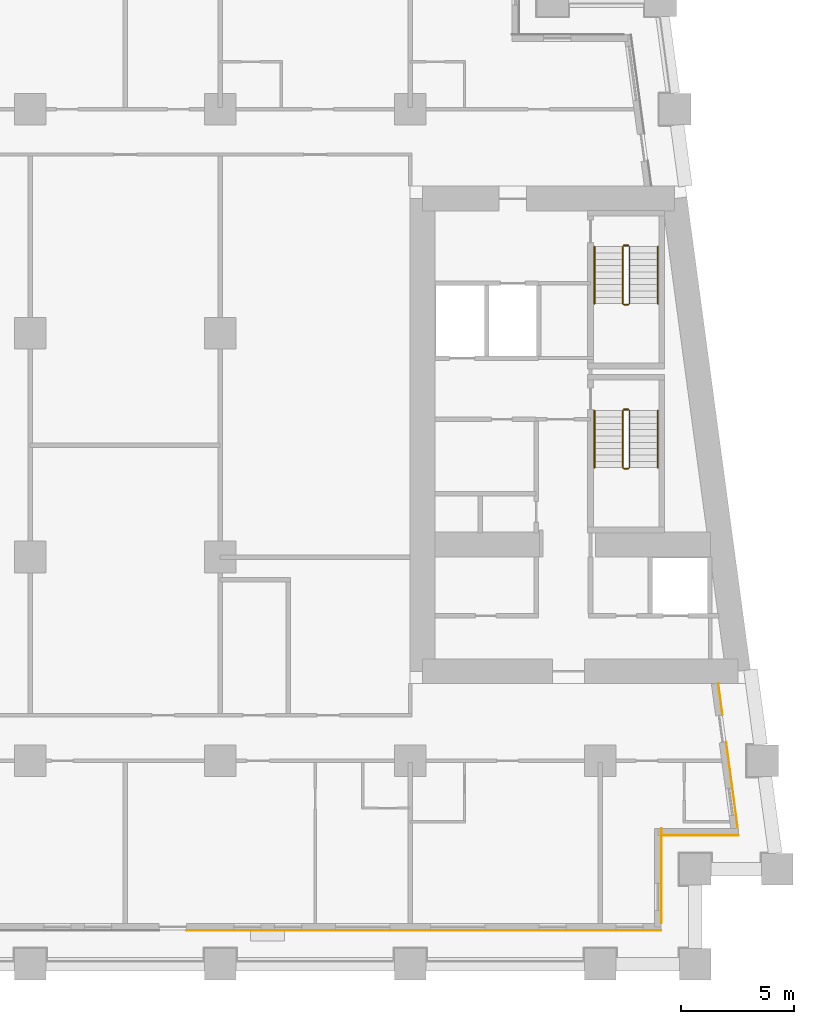
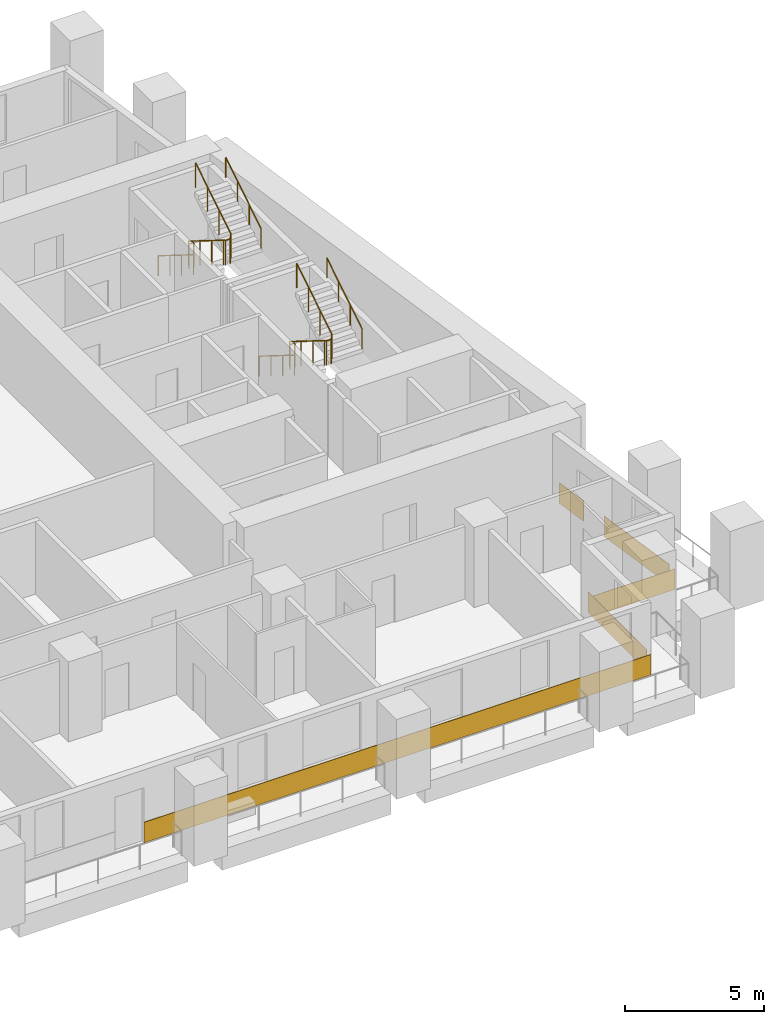
# One storey, part 10 of 12: 8 railings, 5 coverings.
"""IFC4 building model written with IfcOpenShell, lengths in metres."""

from ifc_helpers import new_model, si_unit, direction, frame, origin, origin_2d, place, context, subcontext, project, spatial, rectangle, circle, extrude, material, layer, layer_set, type_object, element, save


model = new_model("IFC4")

# Units and contexts
model_context = context("Model", 3, precision=1e-05, world=origin(), true_north=direction((0.0, 1.0)))
body_context = subcontext(model_context, "Body", "Model", "MODEL_VIEW")
ifc_project = project(units=[si_unit("LENGTHUNIT", "METRE"), si_unit("AREAUNIT", "SQUARE_METRE"), si_unit("VOLUMEUNIT", "CUBIC_METRE"), si_unit("PLANEANGLEUNIT", "RADIAN"), si_unit("MASSUNIT", "GRAM", prefix="KILO")], contexts=[model_context])

# Site, building, storey
site_placement = place(None, origin())
site = spatial("IfcSite", under=ifc_project, at=site_placement, CompositionType="ELEMENT")
building_placement = place(site_placement, origin())
building = spatial("IfcBuilding", under=site, at=building_placement, Name="Candeia Pilgrim Tower and Theatre", CompositionType="ELEMENT")
storey_placement = place(building_placement, frame((0.0, 0.0, 74.0)))
storey = spatial("IfcBuildingStorey", under=building, at=storey_placement, Name="L16", CompositionType="ELEMENT", Elevation=74.0)

# Coverings
ifc_material_1 = material(Name="Glazed ceramic tile deep red")
ifc_layer = layer(ifc_material_1, 0.02001953125)
ifc_layer_set = layer_set([ifc_layer], Name="Glazed ceramic tile deep red")
covering_type = type_object("IfcCoveringType", Name="Glazed ceramic tile deep red", PredefinedType="CLADDING", material=ifc_layer_set)
covering_1_placement = place(storey_placement, frame((126.60009765625, 99.489990234375, 0.0), z_axis=(0.0, 0.0, 1.0), x_axis=(1.0, 0.0, 0.0)))
element("IfcCovering", 1, at=covering_1_placement, inside=storey, type_object=covering_type, Name="Tile cladding deep red L16", PredefinedType="CLADDING", context=body_context, shape_type="SweptSolid", body=[
    extrude(rectangle(XDim=21.0, YDim=0.02001953125, at=origin_2d()), origin(), (0.0, 0.0, 1.0), 0.89990234375),
])
covering_2_placement = place(storey_placement, frame((137.110107421875, 101.909912109375, 0.0), z_axis=(0.0, 0.0, 1.0), x_axis=(0.0, 1.0, 0.0)))
element("IfcCovering", 2, at=covering_2_placement, inside=storey, type_object=covering_type, Name="Tile cladding deep red L16", PredefinedType="CLADDING", context=body_context, shape_type="SweptSolid", body=[
    extrude(rectangle(XDim=4.179931640625, YDim=0.02001953125, at=origin_2d()), origin(), (0.0, 0.0, 1.0), 0.89990234375),
])
covering_3_placement = place(storey_placement, frame((138.819580078125, 103.68994140625, 0.0), z_axis=(0.0, 0.0, 1.0), x_axis=(1.0, 0.0, 0.0)))
element("IfcCovering", 3, at=covering_3_placement, inside=storey, type_object=covering_type, Name="Tile cladding deep red L16", PredefinedType="CLADDING", context=body_context, shape_type="SweptSolid", body=[
    extrude(rectangle(XDim=3.399169921875, YDim=0.02001953125, at=origin_2d()), origin(), (0.0, 0.0, 1.0), 0.89990234375),
])
covering_4_placement = place(storey_placement, frame((140.228515625, 105.933349609375, 0.0), z_axis=(0.0, 0.0, 1.0), x_axis=(-0.133412012145, 0.991060661622, 0.0)))
element("IfcCovering", 4, at=covering_4_placement, inside=storey, type_object=covering_type, Name="Tile cladding deep red L16", PredefinedType="CLADDING", context=body_context, shape_type="SweptSolid", body=[
    extrude(rectangle(XDim=3.821044921875, YDim=0.02001953125, at=origin_2d()), origin(), (0.0, 0.0, 1.0), 0.89990234375),
])
covering_5_placement = place(storey_placement, frame((139.718994140625, 109.71875, 0.0), z_axis=(0.0, 0.0, 1.0), x_axis=(-0.133412012145, 0.991060661622, 0.0)))
element("IfcCovering", 5, at=covering_5_placement, inside=storey, type_object=covering_type, Name="Tile cladding deep red L16", PredefinedType="CLADDING", context=body_context, shape_type="SweptSolid", body=[
    extrude(rectangle(XDim=1.41796875, YDim=0.02001953125, at=origin_2d()), origin(), (0.0, 0.0, 1.0), 0.89990234375),
])

# Railings
ifc_material_2 = material(Name="Stainless steel balustrade", Category="steel")
railing_type_1 = type_object("IfcRailingType", Name="RL-GUARD-1100", PredefinedType="GUARDRAIL", material=ifc_material_2)
railing_1_placement = place(storey_placement, frame((135.39794921875, 122.47509765625, 0.175048828125)))
element("IfcRailing", 6, at=railing_1_placement, inside=storey, type_object=railing_type_1, Name="L16 ST3 stair guard 1", PredefinedType="GUARDRAIL", context=body_context, shape_type="SweptSolid", body=[
    extrude(circle(Radius=0.02392578125, at=origin_2d()), frame((0.0, 0.0, 1.076171875), z_axis=(0.0, -0.848007534815, 0.529984170421), x_axis=(1.0, 0.0, 0.0)), (0.0, 0.0, 1.0), 2.9716796875),
    extrude(circle(Radius=0.02392578125, at=origin_2d()), frame((0.0, -2.52001953125, 2.65087890625), z_axis=(0.707106781187, -0.707106781187, 0.0), x_axis=(0.707106781187, 0.707106781187, 0.0)), (0.0, 0.0, 1.0), 0.07080078125),
    extrude(circle(Radius=0.02392578125, at=origin_2d()), frame((0.050048828125, -2.570068359375, 2.65087890625), z_axis=(1.0, 0.0, 0.0), x_axis=(0.0, 1.0, 0.0)), (0.0, 0.0, 1.0), 0.199951171875),
    extrude(circle(Radius=0.02392578125, at=origin_2d()), frame((0.25, -2.570068359375, 2.65087890625), z_axis=(0.265065253269, 0.265065253269, 0.927081885822), x_axis=(-0.707106781187, 0.707106781187, 0.0)), (0.0, 0.0, 1.0), 0.188720703125),
    extrude(circle(Radius=0.02392578125, at=origin_2d()), frame((0.300048828125, -2.52001953125, 2.826171875), z_axis=(0.0, 0.848007534815, 0.529984170421), x_axis=(-1.0, 0.0, 0.0)), (0.0, 0.0, 1.0), 2.9716796875),
    extrude(circle(Radius=0.02099609375, at=origin_2d()), origin(), (0.0, 0.0, 1.0), 1.052001953125),
    extrude(circle(Radius=0.02099609375, at=origin_2d()), frame((0.0, -0.840087890625, 0.52490234375)), (0.0, 0.0, 1.0), 1.052001953125),
    extrude(circle(Radius=0.02099609375, at=origin_2d()), frame((0.0, -1.679931640625, 1.050048828125)), (0.0, 0.0, 1.0), 1.052001953125),
    extrude(circle(Radius=0.02099609375, at=origin_2d()), frame((0.0, -2.52001953125, 1.574951171875)), (0.0, 0.0, 1.0), 1.052001953125),
    extrude(circle(Radius=0.02099609375, at=origin_2d()), frame((0.050048828125, -2.570068359375, 1.574951171875)), (0.0, 0.0, 1.0), 1.052001953125),
    extrude(circle(Radius=0.02099609375, at=origin_2d()), frame((0.25, -2.570068359375, 1.574951171875)), (0.0, 0.0, 1.0), 1.052001953125),
    extrude(circle(Radius=0.02099609375, at=origin_2d()), frame((0.300048828125, -2.52001953125, 1.75)), (0.0, 0.0, 1.0), 1.052001953125),
    extrude(circle(Radius=0.02099609375, at=origin_2d()), frame((0.300048828125, -1.679931640625, 2.27490234375)), (0.0, 0.0, 1.0), 1.052001953125),
    extrude(circle(Radius=0.02099609375, at=origin_2d()), frame((0.300048828125, -0.840087890625, 2.800048828125)), (0.0, 0.0, 1.0), 1.052001953125),
    extrude(circle(Radius=0.02099609375, at=origin_2d()), frame((0.300048828125, 0.0, 3.324951171875)), (0.0, 0.0, 1.0), 1.052001953125),
])
railing_2_placement = place(storey_placement, frame((135.447998046875, 122.52490234375, 0.0)))
element("IfcRailing", 7, at=railing_2_placement, inside=storey, type_object=railing_type_1, Name="L16 ST3 stair guard 2", PredefinedType="GUARDRAIL", context=body_context, shape_type="SweptSolid", body=[
    extrude(circle(Radius=0.02392578125, at=origin_2d()), frame((0.0, 0.0, 1.076171875), z_axis=(1.0, 0.0, 0.0), x_axis=(0.0, 1.0, 0.0)), (0.0, 0.0, 1.0), 0.199951171875),
    extrude(circle(Radius=0.02099609375, at=origin_2d()), origin(), (0.0, 0.0, 1.0), 1.052001953125),
    extrude(circle(Radius=0.02099609375, at=origin_2d()), frame((0.199951171875, 0.0, 0.0)), (0.0, 0.0, 1.0), 1.052001953125),
])
railing_3_placement = place(storey_placement, frame((135.39794921875, 129.72509765625, 0.175048828125)))
element("IfcRailing", 8, at=railing_3_placement, inside=storey, type_object=railing_type_1, Name="L16 ST4 stair guard 1", PredefinedType="GUARDRAIL", context=body_context, shape_type="SweptSolid", body=[
    extrude(circle(Radius=0.02392578125, at=origin_2d()), frame((0.0, 0.0, 1.076171875), z_axis=(0.0, -0.848007534815, 0.529984170421), x_axis=(1.0, 0.0, 0.0)), (0.0, 0.0, 1.0), 2.9716796875),
    extrude(circle(Radius=0.02392578125, at=origin_2d()), frame((0.0, -2.52001953125, 2.65087890625), z_axis=(0.707106781187, -0.707106781187, 0.0), x_axis=(0.707106781187, 0.707106781187, 0.0)), (0.0, 0.0, 1.0), 0.07080078125),
    extrude(circle(Radius=0.02392578125, at=origin_2d()), frame((0.050048828125, -2.570068359375, 2.65087890625), z_axis=(1.0, 0.0, 0.0), x_axis=(0.0, 1.0, 0.0)), (0.0, 0.0, 1.0), 0.199951171875),
    extrude(circle(Radius=0.02392578125, at=origin_2d()), frame((0.25, -2.570068359375, 2.65087890625), z_axis=(0.265065253269, 0.265065253269, 0.927081885822), x_axis=(-0.707106781187, 0.707106781187, 0.0)), (0.0, 0.0, 1.0), 0.188720703125),
    extrude(circle(Radius=0.02392578125, at=origin_2d()), frame((0.300048828125, -2.52001953125, 2.826171875), z_axis=(0.0, 0.848007534815, 0.529984170421), x_axis=(-1.0, 0.0, 0.0)), (0.0, 0.0, 1.0), 2.9716796875),
    extrude(circle(Radius=0.02099609375, at=origin_2d()), origin(), (0.0, 0.0, 1.0), 1.052001953125),
    extrude(circle(Radius=0.02099609375, at=origin_2d()), frame((0.0, -0.840087890625, 0.52490234375)), (0.0, 0.0, 1.0), 1.052001953125),
    extrude(circle(Radius=0.02099609375, at=origin_2d()), frame((0.0, -1.679931640625, 1.050048828125)), (0.0, 0.0, 1.0), 1.052001953125),
    extrude(circle(Radius=0.02099609375, at=origin_2d()), frame((0.0, -2.52001953125, 1.574951171875)), (0.0, 0.0, 1.0), 1.052001953125),
    extrude(circle(Radius=0.02099609375, at=origin_2d()), frame((0.050048828125, -2.570068359375, 1.574951171875)), (0.0, 0.0, 1.0), 1.052001953125),
    extrude(circle(Radius=0.02099609375, at=origin_2d()), frame((0.25, -2.570068359375, 1.574951171875)), (0.0, 0.0, 1.0), 1.052001953125),
    extrude(circle(Radius=0.02099609375, at=origin_2d()), frame((0.300048828125, -2.52001953125, 1.75)), (0.0, 0.0, 1.0), 1.052001953125),
    extrude(circle(Radius=0.02099609375, at=origin_2d()), frame((0.300048828125, -1.679931640625, 2.27490234375)), (0.0, 0.0, 1.0), 1.052001953125),
    extrude(circle(Radius=0.02099609375, at=origin_2d()), frame((0.300048828125, -0.840087890625, 2.800048828125)), (0.0, 0.0, 1.0), 1.052001953125),
    extrude(circle(Radius=0.02099609375, at=origin_2d()), frame((0.300048828125, 0.0, 3.324951171875)), (0.0, 0.0, 1.0), 1.052001953125),
])
railing_4_placement = place(storey_placement, frame((135.447998046875, 129.77490234375, 0.0)))
element("IfcRailing", 9, at=railing_4_placement, inside=storey, type_object=railing_type_1, Name="L16 ST4 stair guard 2", PredefinedType="GUARDRAIL", context=body_context, shape_type="SweptSolid", body=[
    extrude(circle(Radius=0.02392578125, at=origin_2d()), frame((0.0, 0.0, 1.076171875), z_axis=(1.0, 0.0, 0.0), x_axis=(0.0, 1.0, 0.0)), (0.0, 0.0, 1.0), 0.199951171875),
    extrude(circle(Radius=0.02099609375, at=origin_2d()), origin(), (0.0, 0.0, 1.0), 1.052001953125),
    extrude(circle(Radius=0.02099609375, at=origin_2d()), frame((0.199951171875, 0.0, 0.0)), (0.0, 0.0, 1.0), 1.052001953125),
])
ifc_material_3 = material(Name="Stainless steel handrail", Category="steel")
railing_type_2 = type_object("IfcRailingType", Name="RL-HANDRAIL-900", PredefinedType="HANDRAIL", material=ifc_material_3)
railing_5_placement = place(storey_placement, frame((134.14794921875, 122.47509765625, 0.175048828125)))
element("IfcRailing", 10, at=railing_5_placement, inside=storey, type_object=railing_type_2, Name="L16 ST3 stair handrail 1", PredefinedType="HANDRAIL", context=body_context, shape_type="SweptSolid", body=[
    extrude(circle(Radius=0.02392578125, at=origin_2d()), frame((0.0, 0.0, 0.8759765625), z_axis=(0.0, -0.848007534815, 0.529984170421), x_axis=(1.0, 0.0, 0.0)), (0.0, 0.0, 1.0), 2.9716796875),
    extrude(circle(Radius=0.02099609375, at=origin_2d()), origin(), (0.0, 0.0, 1.0), 0.851806640625),
    extrude(circle(Radius=0.02099609375, at=origin_2d()), frame((0.0, -0.840087890625, 0.52490234375)), (0.0, 0.0, 1.0), 0.851806640625),
    extrude(circle(Radius=0.02099609375, at=origin_2d()), frame((0.0, -1.679931640625, 1.050048828125)), (0.0, 0.0, 1.0), 0.851806640625),
    extrude(circle(Radius=0.02099609375, at=origin_2d()), frame((0.0, -2.52001953125, 1.574951171875)), (0.0, 0.0, 1.0), 0.851806640625),
])
railing_6_placement = place(storey_placement, frame((136.947998046875, 119.955078125, 1.925048828125)))
element("IfcRailing", 11, at=railing_6_placement, inside=storey, type_object=railing_type_2, Name="L16 ST3 stair handrail 2", PredefinedType="HANDRAIL", context=body_context, shape_type="SweptSolid", body=[
    extrude(circle(Radius=0.02392578125, at=origin_2d()), frame((0.0, 0.0, 0.8759765625), z_axis=(0.0, 0.848007534815, 0.529984170421), x_axis=(-1.0, 0.0, 0.0)), (0.0, 0.0, 1.0), 2.9716796875),
    extrude(circle(Radius=0.02099609375, at=origin_2d()), origin(), (0.0, 0.0, 1.0), 0.851806640625),
    extrude(circle(Radius=0.02099609375, at=origin_2d()), frame((0.0, 0.840087890625, 0.52490234375)), (0.0, 0.0, 1.0), 0.851806640625),
    extrude(circle(Radius=0.02099609375, at=origin_2d()), frame((0.0, 1.679931640625, 1.050048828125)), (0.0, 0.0, 1.0), 0.851806640625),
    extrude(circle(Radius=0.02099609375, at=origin_2d()), frame((0.0, 2.52001953125, 1.574951171875)), (0.0, 0.0, 1.0), 0.851806640625),
])
railing_7_placement = place(storey_placement, frame((134.14794921875, 129.72509765625, 0.175048828125)))
element("IfcRailing", 12, at=railing_7_placement, inside=storey, type_object=railing_type_2, Name="L16 ST4 stair handrail 1", PredefinedType="HANDRAIL", context=body_context, shape_type="SweptSolid", body=[
    extrude(circle(Radius=0.02392578125, at=origin_2d()), frame((0.0, 0.0, 0.8759765625), z_axis=(0.0, -0.848007534815, 0.529984170421), x_axis=(1.0, 0.0, 0.0)), (0.0, 0.0, 1.0), 2.9716796875),
    extrude(circle(Radius=0.02099609375, at=origin_2d()), origin(), (0.0, 0.0, 1.0), 0.851806640625),
    extrude(circle(Radius=0.02099609375, at=origin_2d()), frame((0.0, -0.840087890625, 0.52490234375)), (0.0, 0.0, 1.0), 0.851806640625),
    extrude(circle(Radius=0.02099609375, at=origin_2d()), frame((0.0, -1.679931640625, 1.050048828125)), (0.0, 0.0, 1.0), 0.851806640625),
    extrude(circle(Radius=0.02099609375, at=origin_2d()), frame((0.0, -2.52001953125, 1.574951171875)), (0.0, 0.0, 1.0), 0.851806640625),
])
railing_8_placement = place(storey_placement, frame((136.947998046875, 127.205078125, 1.925048828125)))
element("IfcRailing", 13, at=railing_8_placement, inside=storey, type_object=railing_type_2, Name="L16 ST4 stair handrail 2", PredefinedType="HANDRAIL", context=body_context, shape_type="SweptSolid", body=[
    extrude(circle(Radius=0.02392578125, at=origin_2d()), frame((0.0, 0.0, 0.8759765625), z_axis=(0.0, 0.848007534815, 0.529984170421), x_axis=(-1.0, 0.0, 0.0)), (0.0, 0.0, 1.0), 2.9716796875),
    extrude(circle(Radius=0.02099609375, at=origin_2d()), origin(), (0.0, 0.0, 1.0), 0.851806640625),
    extrude(circle(Radius=0.02099609375, at=origin_2d()), frame((0.0, 0.840087890625, 0.52490234375)), (0.0, 0.0, 1.0), 0.851806640625),
    extrude(circle(Radius=0.02099609375, at=origin_2d()), frame((0.0, 1.679931640625, 1.050048828125)), (0.0, 0.0, 1.0), 0.851806640625),
    extrude(circle(Radius=0.02099609375, at=origin_2d()), frame((0.0, 2.52001953125, 1.574951171875)), (0.0, 0.0, 1.0), 0.851806640625),
])

save(model, "model.ifc")
